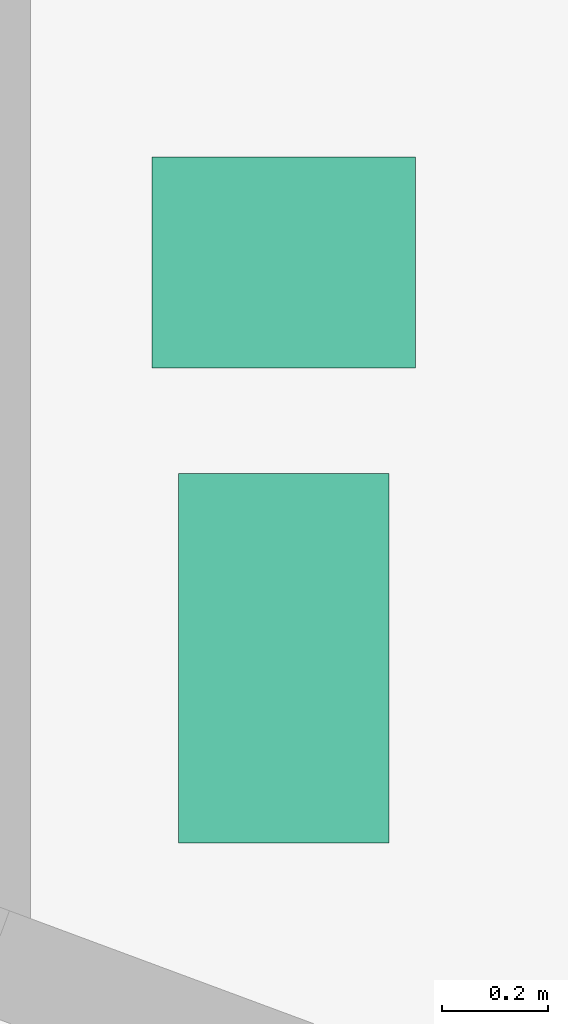
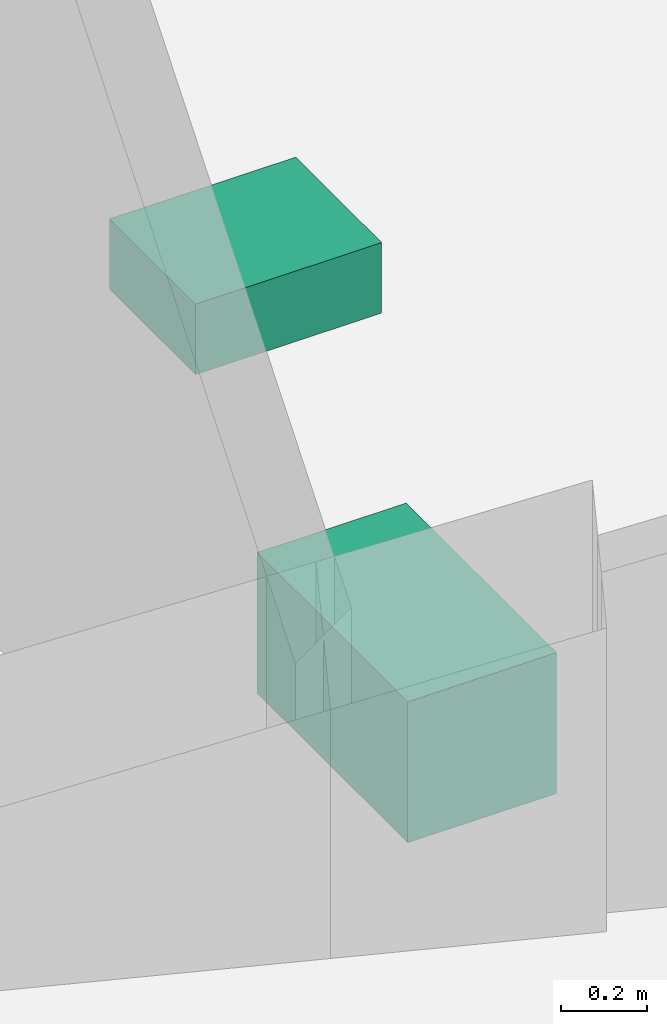
# One storey, part 15 of 15: 2 sanitary terminals.
"""IFC4 building model written with IfcOpenShell, lengths in metres."""

from ifc_helpers import new_model, si_unit, direction, frame, origin, origin_2d, place, context, subcontext, project, spatial, rectangle, extrude, material, type_object, element, save


model = new_model("IFC4")

# Units and contexts
model_context = context("Model", 3, precision=1e-05, world=origin(), true_north=direction((0.0, 1.0)))
body_context = subcontext(model_context, "Body", "Model", "MODEL_VIEW")
ifc_project = project(units=[si_unit("LENGTHUNIT", "METRE"), si_unit("AREAUNIT", "SQUARE_METRE"), si_unit("VOLUMEUNIT", "CUBIC_METRE"), si_unit("PLANEANGLEUNIT", "RADIAN"), si_unit("MASSUNIT", "GRAM", prefix="KILO")], contexts=[model_context])

# Site, building, storey
site_placement = place(None, origin())
site = spatial("IfcSite", under=ifc_project, at=site_placement, CompositionType="ELEMENT")
building_placement = place(site_placement, origin())
building = spatial("IfcBuilding", under=site, at=building_placement, Name="Ostrand Prow Hotel Tower", CompositionType="ELEMENT")
storey_placement = place(building_placement, frame((0.0, 0.0, 313.199951171875)))
storey = spatial("IfcBuildingStorey", under=building, at=storey_placement, Name="C2", CompositionType="ELEMENT", Elevation=313.199951171875)

# Sanitary terminals
ifc_material_1 = material(Name="Vitreous china")
sanitary_terminal_type_1 = type_object("IfcSanitaryTerminalType", Name="WC pan 360x700", PredefinedType="TOILETPAN", material=ifc_material_1)
sanitary_terminal_1_placement = place(storey_placement, frame((30.445068359375, -2.636962890625, 0.0), z_axis=(0.0, 0.0, 1.0), x_axis=(1.0, 0.0, 0.0)))
element("IfcSanitaryTerminal", 1, at=sanitary_terminal_1_placement, inside=storey, type_object=sanitary_terminal_type_1, Name="PAN", PredefinedType="TOILETPAN", context=body_context, shape_type="SweptSolid", body=[
    extrude(rectangle(XDim=0.39990234375, YDim=0.699951171875, at=origin_2d()), origin(), (0.0, 0.0, 1.0), 0.39990234375),
])
ifc_material_2 = material(Name="Vitreous china")
sanitary_terminal_type_2 = type_object("IfcSanitaryTerminalType", Name="Wash hand basin 500x400", PredefinedType="WASHHANDBASIN", material=ifc_material_2)
sanitary_terminal_2_placement = place(storey_placement, frame((30.445068359375, -1.886962890625, 0.80029296875), z_axis=(0.0, 0.0, 1.0), x_axis=(1.0, 0.0, 0.0)))
element("IfcSanitaryTerminal", 2, at=sanitary_terminal_2_placement, inside=storey, type_object=sanitary_terminal_type_2, Name="WASH HAND BASIN", PredefinedType="WASHHANDBASIN", context=body_context, shape_type="SweptSolid", body=[
    extrude(rectangle(XDim=0.5, YDim=0.39990234375, at=origin_2d()), origin(), (0.0, 0.0, 1.0), 0.199951171875),
])

save(model, "model.ifc")
